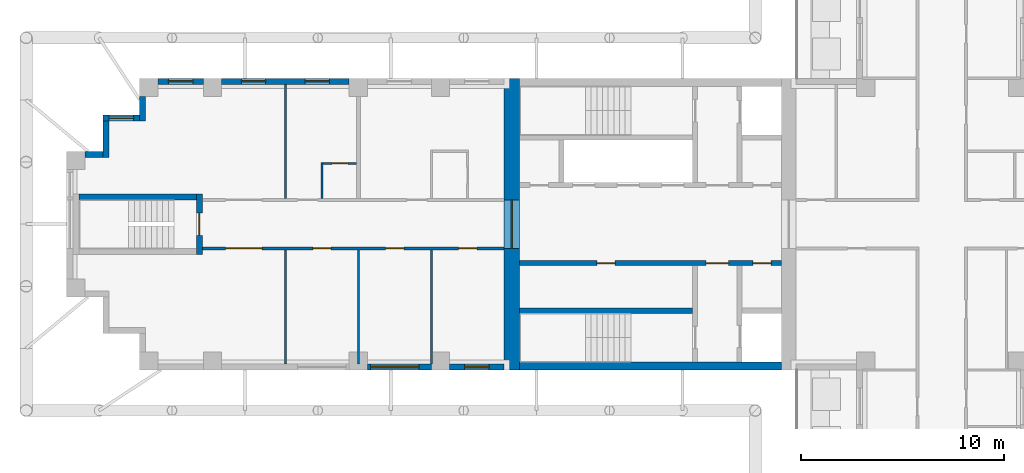
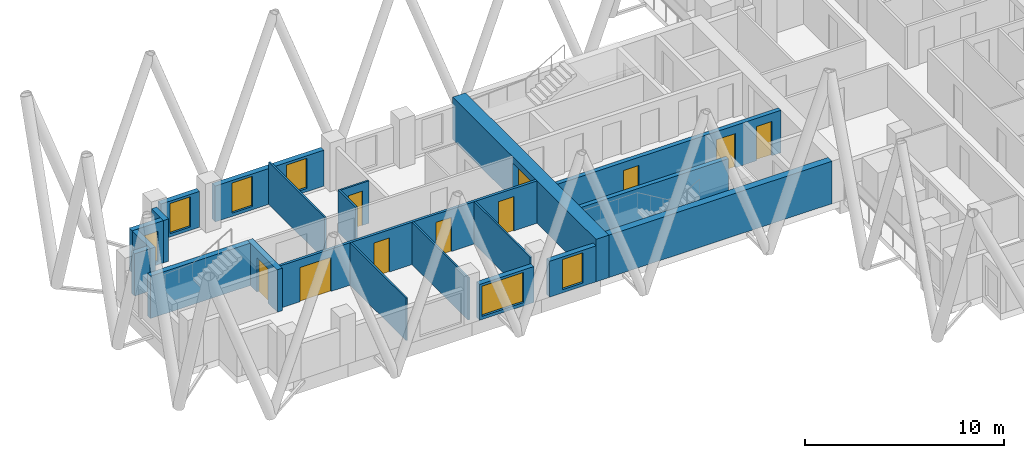
# One storey, part 3 of 12: 21 walls, 10 doors, 6 windows, 16 openings.
"""IFC4 building model written with IfcOpenShell, lengths in metres."""

from ifc_helpers import new_model, si_unit, direction, frame, frame_2d, origin, place, context, subcontext, project, spatial, rectangle, extrude, material, layer, layer_set, type_object, element, fill, save


model = new_model("IFC4")

# Units and contexts
model_context = context("Model", 3, precision=1e-05, world=origin(), true_north=direction((0.0, 1.0)))
body_context = subcontext(model_context, "Body", "Model", "MODEL_VIEW")
ifc_project = project(units=[si_unit("LENGTHUNIT", "METRE"), si_unit("AREAUNIT", "SQUARE_METRE"), si_unit("VOLUMEUNIT", "CUBIC_METRE"), si_unit("PLANEANGLEUNIT", "RADIAN"), si_unit("MASSUNIT", "GRAM", prefix="KILO")], contexts=[model_context])

# Site, building, storey
site_placement = place(None, origin())
site = spatial("IfcSite", under=ifc_project, at=site_placement, CompositionType="ELEMENT")
building_placement = place(site_placement, origin())
building = spatial("IfcBuilding", under=site, at=building_placement, Name="Fustian Cross Tower", CompositionType="ELEMENT")
storey_placement = place(building_placement, frame((0.0, 0.0, 188.699951171875)))
storey = spatial("IfcBuildingStorey", under=building, at=storey_placement, Name="L59", CompositionType="ELEMENT", Elevation=188.699951171875)

# Wall, openings, doors
ifc_material_1 = material(Name="Plasterboard on steel stud", Category="steel")
ifc_layer_1 = layer(ifc_material_1, 0.14990234375)
ifc_layer_set_1 = layer_set([ifc_layer_1], Name="Plasterboard on steel stud")
wall_type_1 = type_object("IfcWallType", Name="COMPARTMENT WALL 150 EI 60", PredefinedType="PARTITIONING", material=ifc_layer_set_1)
wall_1_placement = place(storey_placement, frame((-36.5, -1.199951171875, 0.0), z_axis=(0.0, 0.0, 1.0), x_axis=(1.0, 0.0, 0.0)))
wall_1 = element("IfcWall", 1, at=wall_1_placement, inside=storey, type_object=wall_type_1, Name="Partition 1", PredefinedType="PARTITIONING", context=body_context, shape_type="SweptSolid", body=[
    extrude(rectangle(XDim=14.89990234375, YDim=0.14990234375, at=frame_2d((7.449951171875, 0.0))), origin(), (0.0, 0.0, 1.0), 2.60009765625),
])
opening_1_placement = place(wall_1_placement, frame((12.64990234375, 0.0, 0.0)))
opening_1 = element("IfcOpeningElement", 2, at=opening_1_placement, cuts=wall_1, Name="Opening D27023", PredefinedType="OPENING", context=body_context, shape_type="SweptSolid", body=[
    extrude(rectangle(XDim=0.89990234375, YDim=2.10009765625, at=frame_2d((0.449951171875, 1.050048828125))), frame((0.0, 0.0849609375, 0.0), z_axis=(0.0, -1.0, 0.0), x_axis=(1.0, 0.0, 0.0)), (0.0, 0.0, 1.0), 0.169921875),
])
opening_2_placement = place(wall_1_placement, frame((9.050048828125, 0.0, 0.0)))
opening_2 = element("IfcOpeningElement", 3, at=opening_2_placement, cuts=wall_1, Name="Opening D27024", PredefinedType="OPENING", context=body_context, shape_type="SweptSolid", body=[
    extrude(rectangle(XDim=0.89990234375, YDim=2.10009765625, at=frame_2d((0.449951171875, 1.050048828125))), frame((0.0, 0.0849609375, 0.0), z_axis=(0.0, -1.0, 0.0), x_axis=(1.0, 0.0, 0.0)), (0.0, 0.0, 1.0), 0.169921875),
])
opening_3_placement = place(wall_1_placement, frame((5.449951171875, 0.0, 0.0)))
opening_3 = element("IfcOpeningElement", 4, at=opening_3_placement, cuts=wall_1, Name="Opening D27025", PredefinedType="OPENING", context=body_context, shape_type="SweptSolid", body=[
    extrude(rectangle(XDim=0.89990234375, YDim=2.10009765625, at=frame_2d((0.449951171875, 1.050048828125))), frame((0.0, 0.0849609375, 0.0), z_axis=(0.0, -1.0, 0.0), x_axis=(1.0, 0.0, 0.0)), (0.0, 0.0, 1.0), 0.169921875),
])
opening_4_placement = place(wall_1_placement, frame((1.14990234375, 0.0, 0.0)))
opening_4 = element("IfcOpeningElement", 5, at=opening_4_placement, cuts=wall_1, Name="Opening D27026", PredefinedType="OPENING", context=body_context, shape_type="SweptSolid", body=[
    extrude(rectangle(XDim=1.800048828125, YDim=2.10009765625, at=frame_2d((0.89990234375, 1.050048828125))), frame((0.0, 0.0849609375, 0.0), z_axis=(0.0, -1.0, 0.0), x_axis=(1.0, 0.0, 0.0)), (0.0, 0.0, 1.0), 0.169921875),
])
ifc_material_2 = material(Name="Timber fire door set", Category="wood")
door_type_1 = type_object("IfcDoorType", Name="FIRE DOUBLE DOOR 1800 FD30S", OperationType="DOUBLE_DOOR_DOUBLE_SWING", PredefinedType="DOOR", material=ifc_material_2)
door_1_placement = place(opening_4_placement, origin())
door_1 = element("IfcDoor", 6, at=door_1_placement, inside=storey, type_object=door_type_1, Name="Door D27026", OperationType="DOUBLE_DOOR_DOUBLE_SWING", OverallHeight=2.10009765625, OverallWidth=1.800048828125, PredefinedType="DOOR", context=body_context, shape_type="SweptSolid", body=[
    extrude(rectangle(XDim=1.800048828125, YDim=2.10009765625, at=frame_2d((0.89990234375, 1.050048828125))), frame((0.0, 0.02490234375, 0.0), z_axis=(0.0, -1.0, 0.0), x_axis=(1.0, 0.0, 0.0)), (0.0, 0.0, 1.0), 0.050048828125),
])
fill(opening_4, door_1)
ifc_material_3 = material(Name="Timber fire door set", Category="wood")
door_type_2 = type_object("IfcDoorType", Name="FIRE SWING DOOR 900 FD30S", OperationType="SINGLE_SWING_LEFT", PredefinedType="DOOR", material=ifc_material_3)
door_2_placement = place(opening_1_placement, frame((0.89990234375, 0.0, 0.0), z_axis=(0.0, 0.0, 1.0), x_axis=(-1.0, 0.0, 0.0)))
door_2 = element("IfcDoor", 7, at=door_2_placement, inside=storey, type_object=door_type_2, Name="Door D27023", OperationType="SINGLE_SWING_RIGHT", OverallHeight=2.10009765625, OverallWidth=0.89990234375, PredefinedType="DOOR", context=body_context, shape_type="SweptSolid", body=[
    extrude(rectangle(XDim=0.89990234375, YDim=2.10009765625, at=frame_2d((0.449951171875, 1.050048828125))), frame((0.0, 0.02490234375, 0.0), z_axis=(0.0, -1.0, 0.0), x_axis=(1.0, 0.0, 0.0)), (0.0, 0.0, 1.0), 0.050048828125),
])
fill(opening_1, door_2)
door_3_placement = place(opening_2_placement, frame((0.89990234375, 0.0, 0.0), z_axis=(0.0, 0.0, 1.0), x_axis=(-1.0, 0.0, 0.0)))
door_3 = element("IfcDoor", 8, at=door_3_placement, inside=storey, type_object=door_type_2, Name="Door D27024", OperationType="SINGLE_SWING_RIGHT", OverallHeight=2.10009765625, OverallWidth=0.89990234375, PredefinedType="DOOR", context=body_context, shape_type="SweptSolid", body=[
    extrude(rectangle(XDim=0.89990234375, YDim=2.10009765625, at=frame_2d((0.449951171875, 1.050048828125))), frame((0.0, 0.02490234375, 0.0), z_axis=(0.0, -1.0, 0.0), x_axis=(1.0, 0.0, 0.0)), (0.0, 0.0, 1.0), 0.050048828125),
])
fill(opening_2, door_3)
door_4_placement = place(opening_3_placement, frame((0.89990234375, 0.0, 0.0), z_axis=(0.0, 0.0, 1.0), x_axis=(-1.0, 0.0, 0.0)))
door_4 = element("IfcDoor", 9, at=door_4_placement, inside=storey, type_object=door_type_2, Name="Door D27025", OperationType="SINGLE_SWING_RIGHT", OverallHeight=2.10009765625, OverallWidth=0.89990234375, PredefinedType="DOOR", context=body_context, shape_type="SweptSolid", body=[
    extrude(rectangle(XDim=0.89990234375, YDim=2.10009765625, at=frame_2d((0.449951171875, 1.050048828125))), frame((0.0, 0.02490234375, 0.0), z_axis=(0.0, -1.0, 0.0), x_axis=(1.0, 0.0, 0.0)), (0.0, 0.0, 1.0), 0.050048828125),
])
fill(opening_3, door_4)

# Wall, opening, door
ifc_material_4 = material(Name="Concrete C50/60", Category="concrete")
ifc_layer_2 = layer(ifc_material_4, 0.75)
ifc_layer_set_2 = layer_set([ifc_layer_2], Name="Concrete C50/60")
wall_type_2 = type_object("IfcWallType", Name="CORE END WALL 750 C50/60", PredefinedType="SHEAR", material=ifc_layer_set_2)
wall_2_placement = place(storey_placement, frame((-21.22509765625, -7.199951171875, 0.0), z_axis=(0.0, 0.0, 1.0), x_axis=(0.0, 1.0, 0.0)))
wall_2 = element("IfcWall", 10, at=wall_2_placement, inside=storey, type_object=wall_type_2, Name="Core end wall", PredefinedType="SHEAR", context=body_context, shape_type="SweptSolid", body=[
    extrude(rectangle(XDim=14.39990234375, YDim=0.75, at=frame_2d((7.199951171875, 0.0))), origin(), (0.0, 0.0, 1.0), 2.60009765625),
])
opening_5_placement = place(wall_2_placement, frame((6.0, 0.0, 0.0)))
opening_5 = element("IfcOpeningElement", 11, at=opening_5_placement, cuts=wall_2, Name="Opening CD-24-28", PredefinedType="OPENING", context=body_context, shape_type="SweptSolid", body=[
    extrude(rectangle(XDim=2.39990234375, YDim=2.199951171875, at=frame_2d((1.199951171875, 1.10009765625))), frame((0.0, 0.385009765625, 0.0), z_axis=(0.0, -1.0, 0.0), x_axis=(1.0, 0.0, 0.0)), (0.0, 0.0, 1.0), 0.77001953125),
])
ifc_material_5 = material(Name="Steel", Category="steel")
door_type_3 = type_object("IfcDoorType", Name="FIRE DOOR FD30S DOUBLE 2400X2200", OperationType="DOUBLE_DOOR_DOUBLE_SWING", PredefinedType="DOOR", material=ifc_material_5)
door_5_placement = place(opening_5_placement, frame((2.39990234375, 0.0, 0.0), z_axis=(0.0, 0.0, 1.0), x_axis=(-1.0, 0.0, 0.0)))
door_5 = element("IfcDoor", 12, at=door_5_placement, inside=storey, type_object=door_type_3, Name="Core door CD-24-28", OperationType="DOUBLE_DOOR_DOUBLE_SWING", OverallHeight=2.199951171875, OverallWidth=2.39990234375, PredefinedType="DOOR", context=body_context, shape_type="SweptSolid", body=[
    extrude(rectangle(XDim=2.39990234375, YDim=2.199951171875, at=frame_2d((1.199951171875, 1.10009765625))), frame((0.0, 0.02490234375, 0.0), z_axis=(0.0, -1.0, 0.0), x_axis=(1.0, 0.0, 0.0)), (0.0, 0.0, 1.0), 0.050048828125),
])
fill(opening_5, door_5)

# Wall
ifc_material_6 = material(Name="Concrete C50/60", Category="concrete")
ifc_layer_3 = layer(ifc_material_6, 0.39990234375)
ifc_layer_set_3 = layer_set([ifc_layer_3], Name="Concrete C50/60")
wall_type_3 = type_object("IfcWallType", Name="CORE FACADE WALL 400 C50/60", PredefinedType="SHEAR", material=ifc_layer_set_3)
wall_3_placement = place(storey_placement, frame((-7.89990234375, -7.0, 0.0), z_axis=(0.0, 0.0, 1.0), x_axis=(-1.0, 0.0, 0.0)))
element("IfcWall", 13, at=wall_3_placement, inside=storey, type_object=wall_type_3, Name="Core facade wall", PredefinedType="SHEAR", context=body_context, shape_type="SweptSolid", body=[
    extrude(rectangle(XDim=12.9501953125, YDim=0.39990234375, at=frame_2d((6.47509765625, 0.0))), origin(), (0.0, 0.0, 1.0), 2.60009765625),
])

# Wall, openings, doors
ifc_material_7 = material(Name="Concrete C50/60", Category="concrete")
ifc_layer_4 = layer(ifc_material_7, 0.25)
ifc_layer_set_4 = layer_set([ifc_layer_4], Name="Concrete C50/60")
wall_type_4 = type_object("IfcWallType", Name="CORE LOBBY WALL 250 C50/60", PredefinedType="SHEAR", material=ifc_layer_set_4)
wall_4_placement = place(storey_placement, frame((-7.89990234375, -1.925048828125, 0.0), z_axis=(0.0, 0.0, 1.0), x_axis=(-1.0, 0.0, 0.0)))
wall_4 = element("IfcWall", 14, at=wall_4_placement, inside=storey, type_object=wall_type_4, Name="Core lobby wall", PredefinedType="SHEAR", context=body_context, shape_type="SweptSolid", body=[
    extrude(rectangle(XDim=12.9501953125, YDim=0.25, at=frame_2d((6.47509765625, 0.0))), origin(), (0.0, 0.0, 1.0), 2.60009765625),
])
opening_6_placement = place(wall_4_placement, frame((0.52490234375, 0.0, 0.0)))
opening_6 = element("IfcOpeningElement", 15, at=opening_6_placement, cuts=wall_4, Name="Opening CD-24-24", PredefinedType="OPENING", context=body_context, shape_type="SweptSolid", body=[
    extrude(rectangle(XDim=0.89990234375, YDim=2.10009765625, at=frame_2d((0.449951171875, 1.050048828125))), frame((0.0, 0.135009765625, 0.0), z_axis=(0.0, -1.0, 0.0), x_axis=(1.0, 0.0, 0.0)), (0.0, 0.0, 1.0), 0.27001953125),
])
opening_7_placement = place(wall_4_placement, frame((2.625, 0.0, 0.0)))
opening_7 = element("IfcOpeningElement", 16, at=opening_7_placement, cuts=wall_4, Name="Opening CD-24-26", PredefinedType="OPENING", context=body_context, shape_type="SweptSolid", body=[
    extrude(rectangle(XDim=1.10009765625, YDim=2.10009765625, at=frame_2d((0.550048828125, 1.050048828125))), frame((0.0, 0.135009765625, 0.0), z_axis=(0.0, -1.0, 0.0), x_axis=(1.0, 0.0, 0.0)), (0.0, 0.0, 1.0), 0.27001953125),
])
opening_8_placement = place(wall_4_placement, frame((8.22509765625, 0.0, 0.0)))
opening_8 = element("IfcOpeningElement", 17, at=opening_8_placement, cuts=wall_4, Name="Opening CD-24-30", PredefinedType="OPENING", context=body_context, shape_type="SweptSolid", body=[
    extrude(rectangle(XDim=0.89990234375, YDim=2.10009765625, at=frame_2d((0.449951171875, 1.050048828125))), frame((0.0, 0.135009765625, 0.0), z_axis=(0.0, -1.0, 0.0), x_axis=(1.0, 0.0, 0.0)), (0.0, 0.0, 1.0), 0.27001953125),
])
ifc_material_8 = material(Name="Steel", Category="steel")
door_type_4 = type_object("IfcDoorType", Name="FIRE DOOR FD30S 1100X2100", OperationType="SINGLE_SWING_LEFT", PredefinedType="DOOR", material=ifc_material_8)
door_6_placement = place(opening_7_placement, frame((1.10009765625, 0.0, 0.0), z_axis=(0.0, 0.0, 1.0), x_axis=(-1.0, 0.0, 0.0)))
door_6 = element("IfcDoor", 18, at=door_6_placement, inside=storey, type_object=door_type_4, Name="Core door CD-24-26", OperationType="SINGLE_SWING_RIGHT", OverallHeight=2.10009765625, OverallWidth=1.10009765625, PredefinedType="DOOR", context=body_context, shape_type="SweptSolid", body=[
    extrude(rectangle(XDim=1.10009765625, YDim=2.10009765625, at=frame_2d((0.550048828125, 1.050048828125))), frame((0.0, 0.02490234375, 0.0), z_axis=(0.0, -1.0, 0.0), x_axis=(1.0, 0.0, 0.0)), (0.0, 0.0, 1.0), 0.050048828125),
])
fill(opening_7, door_6)
ifc_material_9 = material(Name="Steel", Category="steel")
door_type_5 = type_object("IfcDoorType", Name="FIRE DOOR FD30S 900X2100", OperationType="SINGLE_SWING_LEFT", PredefinedType="DOOR", material=ifc_material_9)
door_7_placement = place(opening_6_placement, origin())
door_7 = element("IfcDoor", 19, at=door_7_placement, inside=storey, type_object=door_type_5, Name="Core door CD-24-24", OperationType="SINGLE_SWING_LEFT", OverallHeight=2.10009765625, OverallWidth=0.89990234375, PredefinedType="DOOR", context=body_context, shape_type="SweptSolid", body=[
    extrude(rectangle(XDim=0.89990234375, YDim=2.10009765625, at=frame_2d((0.449951171875, 1.050048828125))), frame((0.0, 0.02490234375, 0.0), z_axis=(0.0, -1.0, 0.0), x_axis=(1.0, 0.0, 0.0)), (0.0, 0.0, 1.0), 0.050048828125),
])
fill(opening_6, door_7)
door_8_placement = place(opening_8_placement, origin())
door_8 = element("IfcDoor", 20, at=door_8_placement, inside=storey, type_object=door_type_5, Name="Core door CD-24-30", OperationType="SINGLE_SWING_RIGHT", OverallHeight=2.10009765625, OverallWidth=0.89990234375, PredefinedType="DOOR", context=body_context, shape_type="SweptSolid", body=[
    extrude(rectangle(XDim=0.89990234375, YDim=2.10009765625, at=frame_2d((0.449951171875, 1.050048828125))), frame((0.0, 0.02490234375, 0.0), z_axis=(0.0, -1.0, 0.0), x_axis=(1.0, 0.0, 0.0)), (0.0, 0.0, 1.0), 0.050048828125),
])
fill(opening_8, door_8)

# Walls
ifc_material_10 = material(Name="Concrete C50/60", Category="concrete")
ifc_layer_5 = layer(ifc_material_10, 0.25)
ifc_layer_set_5 = layer_set([ifc_layer_5], Name="Concrete C50/60")
wall_type_5 = type_object("IfcWallType", Name="CORE SHAFT WALL 250 C50/60", PredefinedType="SHEAR", material=ifc_layer_set_5)
wall_5_placement = place(storey_placement, frame((-12.300048828125, -4.27490234375, 0.0), z_axis=(0.0, 0.0, 1.0), x_axis=(-1.0, 0.0, 0.0)))
element("IfcWall", 21, at=wall_5_placement, inside=storey, type_object=wall_type_5, Name="Core shaft wall", PredefinedType="SHEAR", context=body_context, shape_type="SweptSolid", body=[
    extrude(rectangle(XDim=8.550048828125, YDim=0.25, at=frame_2d((4.27490234375, 0.0))), origin(), (0.0, 0.0, 1.0), 2.60009765625),
])
ifc_material_11 = material(Name="Plasterboard on steel stud", Category="steel")
ifc_layer_6 = layer(ifc_material_11, 0.10009765625)
ifc_layer_set_6 = layer_set([ifc_layer_6], Name="Plasterboard on steel stud")
wall_type_6 = type_object("IfcWallType", Name="PARTITION 100 STUD", PredefinedType="PARTITIONING", material=ifc_layer_set_6)
for number, where, z_axis, x_axis, name in (
    (22, (-32.39990234375, -6.89990234375, 0.0), (0.0, 0.0, 1.0), (0.0, 1.0, 0.0), "Partition 3"),
    (23, (-32.39990234375, 1.27490234375, 0.0), (0.0, 0.0, 1.0), (0.0, 1.0, 0.0), "Partition 4"),
):
    element("IfcWall", number, at=place(storey_placement, frame(where, z_axis=z_axis, x_axis=x_axis)), inside=storey, type_object=wall_type_6, Name=name, PredefinedType="PARTITIONING", context=body_context, shape_type="SweptSolid", body=[
        extrude(rectangle(XDim=5.625, YDim=0.10009765625, at=frame_2d((2.8125, 0.0))), origin(), (0.0, 0.0, 1.0), 2.60009765625),
    ])
wall_6_placement = place(storey_placement, frame((-30.60009765625, 1.27490234375, 0.0), z_axis=(0.0, 0.0, 1.0), x_axis=(0.0, 1.0, 0.0)))
element("IfcWall", 24, at=wall_6_placement, inside=storey, type_object=wall_type_6, Name="Partition 5", PredefinedType="PARTITIONING", context=body_context, shape_type="SweptSolid", body=[
    extrude(rectangle(XDim=1.775146484375, YDim=0.10009765625, at=frame_2d((0.8876953125, 0.0))), origin(), (0.0, 0.0, 1.0), 2.60009765625),
])

# Wall, opening, door
wall_7_placement = place(storey_placement, frame((-30.550048828125, 3.0, 0.0), z_axis=(0.0, 0.0, 1.0), x_axis=(1.0, 0.0, 0.0)))
wall_7 = element("IfcWall", 25, at=wall_7_placement, inside=storey, type_object=wall_type_6, Name="Partition 6", PredefinedType="PARTITIONING", context=body_context, shape_type="SweptSolid", body=[
    extrude(rectangle(XDim=1.650146484375, YDim=0.10009765625, at=frame_2d((0.8251953125, 0.0))), origin(), (0.0, 0.0, 1.0), 2.60009765625),
])
opening_9_placement = place(wall_7_placement, frame((0.449951171875, 0.0, 0.0)))
opening_9 = element("IfcOpeningElement", 26, at=opening_9_placement, cuts=wall_7, Name="Opening D27029", PredefinedType="OPENING", context=body_context, shape_type="SweptSolid", body=[
    extrude(rectangle(XDim=0.800048828125, YDim=2.10009765625, at=frame_2d((0.39990234375, 1.050048828125))), frame((0.0, 0.06005859375, 0.0), z_axis=(0.0, -1.0, 0.0), x_axis=(1.0, 0.0, 0.0)), (0.0, 0.0, 1.0), 0.1201171875),
])
ifc_material_12 = material(Name="Painted timber", Category="wood")
door_type_6 = type_object("IfcDoorType", Name="SWING DOOR 800", OperationType="SINGLE_SWING_LEFT", PredefinedType="DOOR", material=ifc_material_12)
door_9_placement = place(opening_9_placement, frame((0.800048828125, 0.0, 0.0), z_axis=(0.0, 0.0, 1.0), x_axis=(-1.0, 0.0, 0.0)))
door_9 = element("IfcDoor", 27, at=door_9_placement, inside=storey, type_object=door_type_6, Name="Door D27029", OperationType="SINGLE_SWING_LEFT", OverallHeight=2.10009765625, OverallWidth=0.800048828125, PredefinedType="DOOR", context=body_context, shape_type="SweptSolid", body=[
    extrude(rectangle(XDim=0.800048828125, YDim=2.10009765625, at=frame_2d((0.39990234375, 1.050048828125))), frame((0.0, 0.02490234375, 0.0), z_axis=(0.0, -1.0, 0.0), x_axis=(1.0, 0.0, 0.0)), (0.0, 0.0, 1.0), 0.050048828125),
])
fill(opening_9, door_9)

# Walls
for number, where, z_axis, x_axis, name in (
    (28, (-28.800048828125, -6.89990234375, 0.0), (0.0, 0.0, 1.0), (0.0, 1.0, 0.0), "Partition 7"),
    (29, (-25.199951171875, -6.89990234375, 0.0), (0.0, 0.0, 1.0), (0.0, 1.0, 0.0), "Partition 9"),
):
    element("IfcWall", number, at=place(storey_placement, frame(where, z_axis=z_axis, x_axis=x_axis)), inside=storey, type_object=wall_type_6, Name=name, PredefinedType="PARTITIONING", context=body_context, shape_type="SweptSolid", body=[
        extrude(rectangle(XDim=5.625, YDim=0.10009765625, at=frame_2d((2.8125, 0.0))), origin(), (0.0, 0.0, 1.0), 2.60009765625),
    ])

# Wall, opening, door
ifc_material_13 = material(Name="Concrete C50/60", Category="concrete")
ifc_layer_7 = layer(ifc_material_13, 0.300048828125)
ifc_layer_set_7 = layer_set([ifc_layer_7], Name="Concrete C50/60")
wall_type_7 = type_object("IfcWallType", Name="STAIR ENCLOSURE WALL 300 C50/60", PredefinedType="SHEAR", material=ifc_layer_set_7)
wall_8_placement = place(storey_placement, frame((-36.64990234375, -1.5, 0.0), z_axis=(0.0, 0.0, 1.0), x_axis=(0.0, 1.0, 0.0)))
wall_8 = element("IfcWall", 30, at=wall_8_placement, inside=storey, type_object=wall_type_7, Name="Stair enclosure wall", PredefinedType="SHEAR", context=body_context, shape_type="SweptSolid", body=[
    extrude(rectangle(XDim=3.0, YDim=0.300048828125, at=frame_2d((1.5, 0.0))), origin(), (0.0, 0.0, 1.0), 2.60009765625),
])
opening_10_placement = place(wall_8_placement, frame((0.949951171875, 0.0, 0.0)))
opening_10 = element("IfcOpeningElement", 31, at=opening_10_placement, cuts=wall_8, Name="Opening CD-24-31", PredefinedType="OPENING", context=body_context, shape_type="SweptSolid", body=[
    extrude(rectangle(XDim=1.10009765625, YDim=2.10009765625, at=frame_2d((0.550048828125, 1.050048828125))), frame((0.0, 0.159912109375, 0.0), z_axis=(0.0, -1.0, 0.0), x_axis=(1.0, 0.0, 0.0)), (0.0, 0.0, 1.0), 0.320068359375),
])
ifc_material_14 = material(Name="Steel", Category="steel")
door_type_7 = type_object("IfcDoorType", Name="FIRE DOOR FD60S 1100X2100", OperationType="SINGLE_SWING_LEFT", PredefinedType="DOOR", material=ifc_material_14)
door_10_placement = place(opening_10_placement, origin())
door_10 = element("IfcDoor", 32, at=door_10_placement, inside=storey, type_object=door_type_7, Name="Core door CD-24-31", OperationType="SINGLE_SWING_LEFT", OverallHeight=2.10009765625, OverallWidth=1.10009765625, PredefinedType="DOOR", context=body_context, shape_type="SweptSolid", body=[
    extrude(rectangle(XDim=1.10009765625, YDim=2.10009765625, at=frame_2d((0.550048828125, 1.050048828125))), frame((0.0, 0.02490234375, 0.0), z_axis=(0.0, -1.0, 0.0), x_axis=(1.0, 0.0, 0.0)), (0.0, 0.0, 1.0), 0.050048828125),
])
fill(opening_10, door_10)

# Wall
wall_9_placement = place(storey_placement, frame((-36.800048828125, 1.35009765625, 0.0), z_axis=(0.0, 0.0, 1.0), x_axis=(-1.0, 0.0, 0.0)))
element("IfcWall", 33, at=wall_9_placement, inside=storey, type_object=wall_type_7, Name="Stair enclosure wall", PredefinedType="SHEAR", context=body_context, shape_type="SweptSolid", body=[
    extrude(rectangle(XDim=5.800048828125, YDim=0.300048828125, at=frame_2d((2.89990234375, 0.0))), origin(), (0.0, 0.0, 1.0), 2.60009765625),
])

# Wall, openings, windows
ifc_material_15 = material(Name="Dark aluminium cladding on insulated backing wall", Category="aluminium")
ifc_layer_8 = layer(ifc_material_15, 0.300048828125)
ifc_layer_set_8 = layer_set([ifc_layer_8], Name="Dark aluminium cladding on insulated backing wall")
wall_type_8 = type_object("IfcWallType", Name="XW1 EXTERNAL WALL 300", PredefinedType="SOLIDWALL", material=ifc_layer_set_8)
wall_10_placement = place(storey_placement, frame((-29.25, 7.050048828125, 0.0), z_axis=(0.0, 0.0, 1.0), x_axis=(-1.0, 0.0, 0.0)))
wall_10 = element("IfcWall", 34, at=wall_10_placement, inside=storey, type_object=wall_type_8, Name="External wall", PredefinedType="SOLIDWALL", context=body_context, shape_type="SweptSolid", body=[
    extrude(rectangle(XDim=6.300048828125, YDim=0.300048828125, at=frame_2d((3.14990234375, 0.0))), origin(), (0.0, 0.0, 1.0), 2.199951171875),
])
opening_11_placement = place(wall_10_placement, frame((0.97509765625, 0.0, 0.199951171875)))
opening_11 = element("IfcOpeningElement", 35, at=opening_11_placement, cuts=wall_10, Name="Opening WN3", PredefinedType="OPENING", context=body_context, shape_type="SweptSolid", body=[
    extrude(rectangle(XDim=1.199951171875, YDim=1.85009765625, at=frame_2d((0.60009765625, 0.925048828125))), frame((0.0, 0.159912109375, 0.0), z_axis=(0.0, -1.0, 0.0), x_axis=(1.0, 0.0, 0.0)), (0.0, 0.0, 1.0), 0.320068359375),
])
opening_12_placement = place(wall_10_placement, frame((4.125, 0.0, 0.199951171875)))
opening_12 = element("IfcOpeningElement", 36, at=opening_12_placement, cuts=wall_10, Name="Opening WN3", PredefinedType="OPENING", context=body_context, shape_type="SweptSolid", body=[
    extrude(rectangle(XDim=1.199951171875, YDim=1.85009765625, at=frame_2d((0.60009765625, 0.925048828125))), frame((0.0, 0.159912109375, 0.0), z_axis=(0.0, -1.0, 0.0), x_axis=(1.0, 0.0, 0.0)), (0.0, 0.0, 1.0), 0.320068359375),
])
ifc_material_16 = material(Name="Dark anodised aluminium and double glazing", Category="aluminium")
window_type_1 = type_object("IfcWindowType", Name="WN3 WINDOW 1200X1850", PartitioningType="SINGLE_PANEL", PredefinedType="WINDOW", material=ifc_material_16)
window_1_placement = place(opening_11_placement, origin())
window_1 = element("IfcWindow", 37, at=window_1_placement, inside=storey, type_object=window_type_1, Name="Window", OverallHeight=1.85009765625, OverallWidth=1.199951171875, PartitioningType="SINGLE_PANEL", PredefinedType="WINDOW", context=body_context, shape_type="SweptSolid", body=[
    extrude(rectangle(XDim=1.199951171875, YDim=1.85009765625, at=frame_2d((0.60009765625, 0.925048828125))), frame((0.0, 0.030029296875, 0.0), z_axis=(0.0, -1.0, 0.0), x_axis=(1.0, 0.0, 0.0)), (0.0, 0.0, 1.0), 0.06005859375),
])
fill(opening_11, window_1)
window_2_placement = place(opening_12_placement, origin())
window_2 = element("IfcWindow", 38, at=window_2_placement, inside=storey, type_object=window_type_1, Name="Window", OverallHeight=1.85009765625, OverallWidth=1.199951171875, PartitioningType="SINGLE_PANEL", PredefinedType="WINDOW", context=body_context, shape_type="SweptSolid", body=[
    extrude(rectangle(XDim=1.199951171875, YDim=1.85009765625, at=frame_2d((0.60009765625, 0.925048828125))), frame((0.0, 0.030029296875, 0.0), z_axis=(0.0, -1.0, 0.0), x_axis=(1.0, 0.0, 0.0)), (0.0, 0.0, 1.0), 0.06005859375),
])
fill(opening_12, window_2)

# Wall, opening, window
wall_11_placement = place(storey_placement, frame((-36.449951171875, 7.050048828125, 0.0), z_axis=(0.0, 0.0, 1.0), x_axis=(-1.0, 0.0, 0.0)))
wall_11 = element("IfcWall", 39, at=wall_11_placement, inside=storey, type_object=wall_type_8, Name="External wall", PredefinedType="SOLIDWALL", context=body_context, shape_type="SweptSolid", body=[
    extrude(rectangle(XDim=2.25, YDim=0.300048828125, at=frame_2d((1.125, 0.0))), origin(), (0.0, 0.0, 1.0), 2.199951171875),
])
opening_13_placement = place(wall_11_placement, frame((0.52490234375, 0.0, 0.199951171875)))
opening_13 = element("IfcOpeningElement", 40, at=opening_13_placement, cuts=wall_11, Name="Opening WN3", PredefinedType="OPENING", context=body_context, shape_type="SweptSolid", body=[
    extrude(rectangle(XDim=1.199951171875, YDim=1.85009765625, at=frame_2d((0.60009765625, 0.925048828125))), frame((0.0, 0.159912109375, 0.0), z_axis=(0.0, -1.0, 0.0), x_axis=(1.0, 0.0, 0.0)), (0.0, 0.0, 1.0), 0.320068359375),
])
window_3_placement = place(opening_13_placement, origin())
window_3 = element("IfcWindow", 41, at=window_3_placement, inside=storey, type_object=window_type_1, Name="Window", OverallHeight=1.85009765625, OverallWidth=1.199951171875, PartitioningType="SINGLE_PANEL", PredefinedType="WINDOW", context=body_context, shape_type="SweptSolid", body=[
    extrude(rectangle(XDim=1.199951171875, YDim=1.85009765625, at=frame_2d((0.60009765625, 0.925048828125))), frame((0.0, 0.030029296875, 0.0), z_axis=(0.0, -1.0, 0.0), x_axis=(1.0, 0.0, 0.0)), (0.0, 0.0, 1.0), 0.06005859375),
])
fill(opening_13, window_3)

# Wall
wall_12_placement = place(storey_placement, frame((-39.449951171875, 6.300048828125, 0.0), z_axis=(0.0, 0.0, 1.0), x_axis=(0.0, -1.0, 0.0)))
element("IfcWall", 42, at=wall_12_placement, inside=storey, type_object=wall_type_8, Name="External wall", PredefinedType="SOLIDWALL", context=body_context, shape_type="SweptSolid", body=[
    extrude(rectangle(XDim=1.199951171875, YDim=0.300048828125, at=frame_2d((0.60009765625, 0.0))), origin(), (0.0, 0.0, 1.0), 2.60009765625),
])

# Wall, opening, window
wall_13_placement = place(storey_placement, frame((-39.60009765625, 5.25, 0.0), z_axis=(0.0, 0.0, 1.0), x_axis=(-1.0, 0.0, 0.0)))
wall_13 = element("IfcWall", 43, at=wall_13_placement, inside=storey, type_object=wall_type_8, Name="External wall", PredefinedType="SOLIDWALL", context=body_context, shape_type="SweptSolid", body=[
    extrude(rectangle(XDim=1.7998046875, YDim=0.300048828125, at=frame_2d((0.89990234375, 0.0))), origin(), (0.0, 0.0, 1.0), 2.60009765625),
])
opening_14_placement = place(wall_13_placement, frame((0.300048828125, 0.0, 0.199951171875)))
opening_14 = element("IfcOpeningElement", 44, at=opening_14_placement, cuts=wall_13, Name="Opening WN3", PredefinedType="OPENING", context=body_context, shape_type="SweptSolid", body=[
    extrude(rectangle(XDim=1.199951171875, YDim=1.85009765625, at=frame_2d((0.60009765625, 0.925048828125))), frame((0.0, 0.159912109375, 0.0), z_axis=(0.0, -1.0, 0.0), x_axis=(1.0, 0.0, 0.0)), (0.0, 0.0, 1.0), 0.320068359375),
])
window_4_placement = place(opening_14_placement, origin())
window_4 = element("IfcWindow", 45, at=window_4_placement, inside=storey, type_object=window_type_1, Name="Window", OverallHeight=1.85009765625, OverallWidth=1.199951171875, PartitioningType="SINGLE_PANEL", PredefinedType="WINDOW", context=body_context, shape_type="SweptSolid", body=[
    extrude(rectangle(XDim=1.199951171875, YDim=1.85009765625, at=frame_2d((0.60009765625, 0.925048828125))), frame((0.0, 0.030029296875, 0.0), z_axis=(0.0, -1.0, 0.0), x_axis=(1.0, 0.0, 0.0)), (0.0, 0.0, 1.0), 0.06005859375),
])
fill(opening_14, window_4)

# Walls
wall_14_placement = place(storey_placement, frame((-41.25, 5.10009765625, 0.0), z_axis=(0.0, 0.0, 1.0), x_axis=(0.0, -1.0, 0.0)))
element("IfcWall", 46, at=wall_14_placement, inside=storey, type_object=wall_type_8, Name="External wall", PredefinedType="SOLIDWALL", context=body_context, shape_type="SweptSolid", body=[
    extrude(rectangle(XDim=1.800048828125, YDim=0.300048828125, at=frame_2d((0.89990234375, 0.0))), origin(), (0.0, 0.0, 1.0), 2.60009765625),
])
wall_15_placement = place(storey_placement, frame((-41.39990234375, 3.449951171875, 0.0), z_axis=(0.0, 0.0, 1.0), x_axis=(-1.0, 0.0, 0.0)))
element("IfcWall", 47, at=wall_15_placement, inside=storey, type_object=wall_type_8, Name="External wall", PredefinedType="SOLIDWALL", context=body_context, shape_type="SweptSolid", body=[
    extrude(rectangle(XDim=0.900146484375, YDim=0.300048828125, at=frame_2d((0.4501953125, 0.0))), origin(), (0.0, 0.0, 1.0), 2.60009765625),
])

# Wall, opening, window
wall_16_placement = place(storey_placement, frame((-28.35009765625, -7.050048828125, 0.0), z_axis=(0.0, 0.0, 1.0), x_axis=(1.0, 0.0, 0.0)))
wall_16 = element("IfcWall", 48, at=wall_16_placement, inside=storey, type_object=wall_type_8, Name="External wall", PredefinedType="SOLIDWALL", context=body_context, shape_type="SweptSolid", body=[
    extrude(rectangle(XDim=3.150146484375, YDim=0.300048828125, at=frame_2d((1.5751953125, 0.0))), origin(), (0.0, 0.0, 1.0), 2.199951171875),
])
opening_15_placement = place(wall_16_placement, frame((0.14990234375, 0.0, 0.199951171875)))
opening_15 = element("IfcOpeningElement", 49, at=opening_15_placement, cuts=wall_16, Name="Opening WN1", PredefinedType="OPENING", context=body_context, shape_type="SweptSolid", body=[
    extrude(rectangle(XDim=2.39990234375, YDim=1.85009765625, at=frame_2d((1.199951171875, 0.925048828125))), frame((0.0, 0.159912109375, 0.0), z_axis=(0.0, -1.0, 0.0), x_axis=(1.0, 0.0, 0.0)), (0.0, 0.0, 1.0), 0.320068359375),
])
ifc_material_17 = material(Name="Dark anodised aluminium and double glazing", Category="aluminium")
window_type_2 = type_object("IfcWindowType", Name="WN1 WINDOW 2400X1850", PartitioningType="SINGLE_PANEL", PredefinedType="WINDOW", material=ifc_material_17)
window_5_placement = place(opening_15_placement, origin())
window_5 = element("IfcWindow", 50, at=window_5_placement, inside=storey, type_object=window_type_2, Name="Window", OverallHeight=1.85009765625, OverallWidth=2.39990234375, PartitioningType="SINGLE_PANEL", PredefinedType="WINDOW", context=body_context, shape_type="SweptSolid", body=[
    extrude(rectangle(XDim=2.39990234375, YDim=1.85009765625, at=frame_2d((1.199951171875, 0.925048828125))), frame((0.0, 0.030029296875, 0.0), z_axis=(0.0, -1.0, 0.0), x_axis=(1.0, 0.0, 0.0)), (0.0, 0.0, 1.0), 0.06005859375),
])
fill(opening_15, window_5)

wall_17_placement = place(storey_placement, frame((-24.300048828125, -7.050048828125, 0.0), z_axis=(0.0, 0.0, 1.0), x_axis=(1.0, 0.0, 0.0)))
wall_17 = element("IfcWall", 51, at=wall_17_placement, inside=storey, type_object=wall_type_8, Name="External wall", PredefinedType="SOLIDWALL", context=body_context, shape_type="SweptSolid", body=[
    extrude(rectangle(XDim=2.699951171875, YDim=0.300048828125, at=frame_2d((1.35009765625, 0.0))), origin(), (0.0, 0.0, 1.0), 2.199951171875),
])
opening_16_placement = place(wall_17_placement, frame((0.75, 0.0, 0.199951171875)))
opening_16 = element("IfcOpeningElement", 52, at=opening_16_placement, cuts=wall_17, Name="Opening WN3", PredefinedType="OPENING", context=body_context, shape_type="SweptSolid", body=[
    extrude(rectangle(XDim=1.199951171875, YDim=1.85009765625, at=frame_2d((0.60009765625, 0.925048828125))), frame((0.0, 0.159912109375, 0.0), z_axis=(0.0, -1.0, 0.0), x_axis=(1.0, 0.0, 0.0)), (0.0, 0.0, 1.0), 0.320068359375),
])
window_6_placement = place(opening_16_placement, origin())
window_6 = element("IfcWindow", 53, at=window_6_placement, inside=storey, type_object=window_type_1, Name="Window", OverallHeight=1.85009765625, OverallWidth=1.199951171875, PartitioningType="SINGLE_PANEL", PredefinedType="WINDOW", context=body_context, shape_type="SweptSolid", body=[
    extrude(rectangle(XDim=1.199951171875, YDim=1.85009765625, at=frame_2d((0.60009765625, 0.925048828125))), frame((0.0, 0.030029296875, 0.0), z_axis=(0.0, -1.0, 0.0), x_axis=(1.0, 0.0, 0.0)), (0.0, 0.0, 1.0), 0.06005859375),
])
fill(opening_16, window_6)

save(model, "model.ifc")
